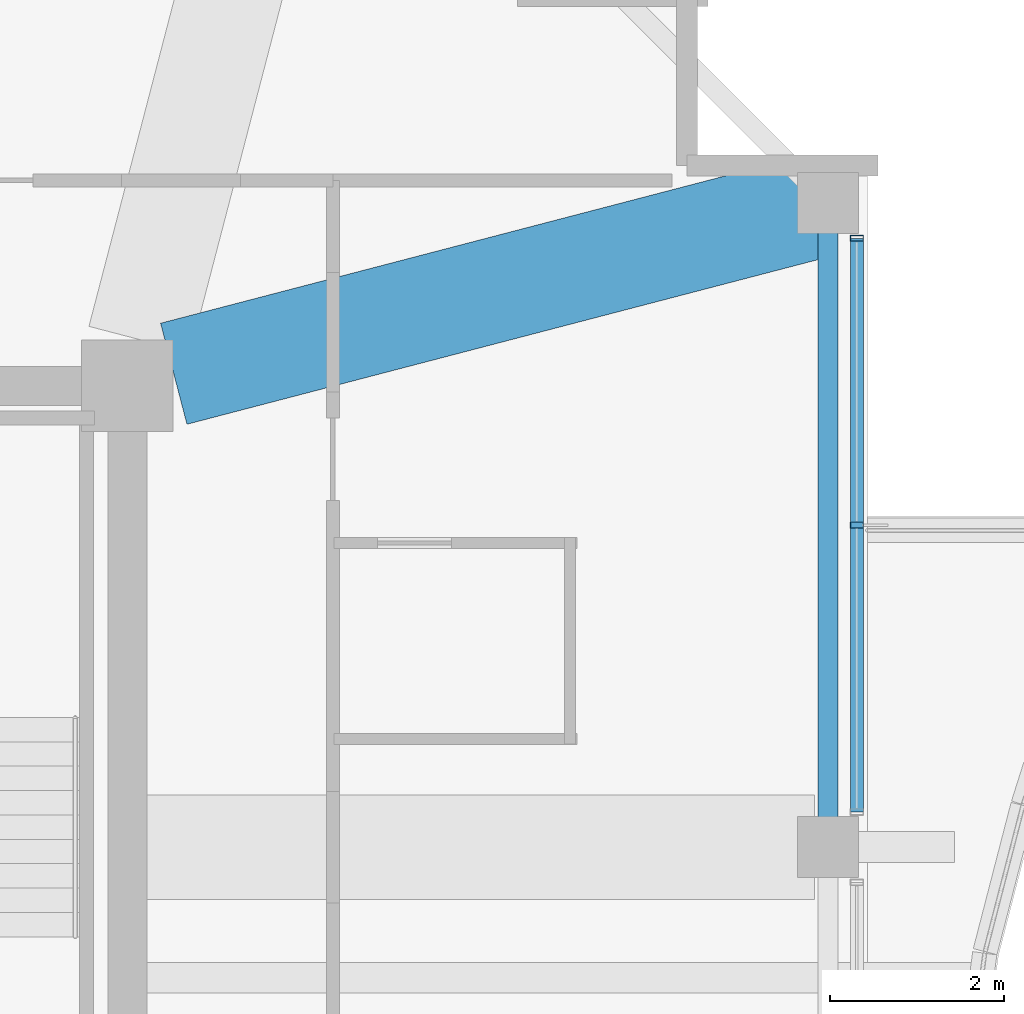
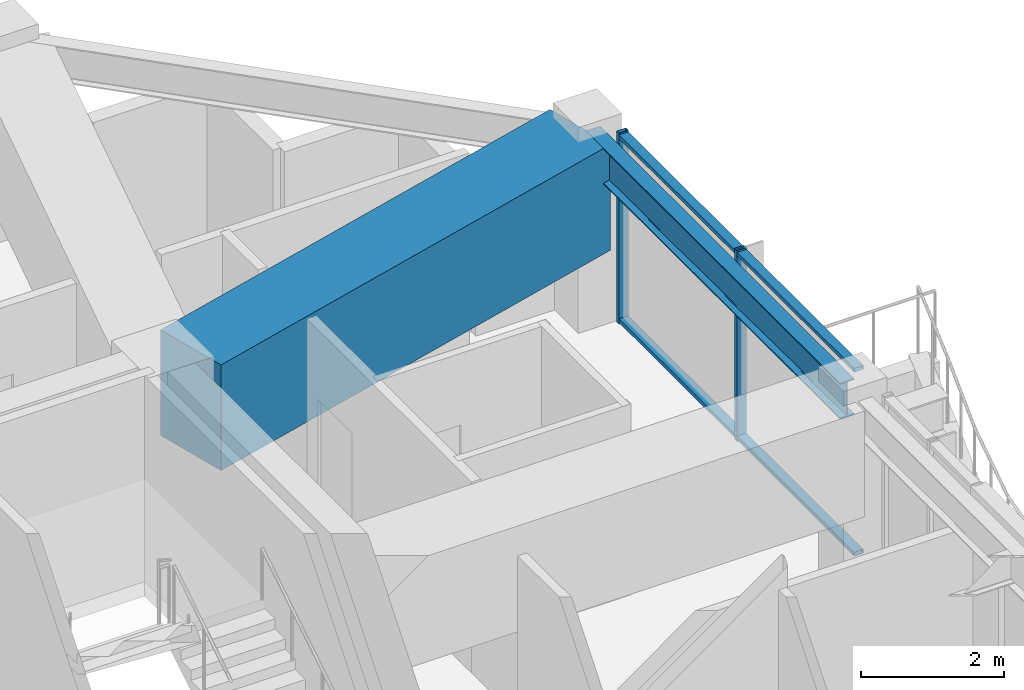
# One storey, part 13 of 31: 4 members, 2 beams, 1 element without a shape of its own.
"""IFC4 building model written with IfcOpenShell, lengths in metres."""

from ifc_helpers import new_model, si_unit, direction, frame, origin, origin_2d, place, context, subcontext, project, spatial, rectangle, hollow_rectangle, i_section, extrude, material, material_profile, profile_set, type_object, element, aggregate, save


model = new_model("IFC4")

# Units and contexts
model_context = context("Model", 3, precision=1e-05, world=origin(), true_north=direction((0.0, 1.0)))
body_context = subcontext(model_context, "Body", "Model", "MODEL_VIEW")
ifc_project = project(units=[si_unit("LENGTHUNIT", "METRE"), si_unit("AREAUNIT", "SQUARE_METRE"), si_unit("VOLUMEUNIT", "CUBIC_METRE"), si_unit("PLANEANGLEUNIT", "RADIAN"), si_unit("MASSUNIT", "GRAM", prefix="KILO")], contexts=[model_context])

# Site, building, storey
site_placement = place(None, origin())
site = spatial("IfcSite", under=ifc_project, at=site_placement, CompositionType="ELEMENT")
building_placement = place(site_placement, origin())
building = spatial("IfcBuilding", under=site, at=building_placement, Name="Kolvaren Belvedere", CompositionType="ELEMENT")
storey_placement = place(building_placement, frame((0.0, 0.0, 237.39990234375)))
storey = spatial("IfcBuildingStorey", under=building, at=storey_placement, Name="L69", CompositionType="ELEMENT", Elevation=237.39990234375)

# Beams
ifc_material_1 = material(Name="Structural steel ASTM A992 Grade 50", Category="steel")
ifc_material_profile_1 = material_profile(ifc_material_1, i_section(OverallWidth=0.22900390625, OverallDepth=0.612060546875, WebThickness=0.011962890625, FlangeThickness=0.01953125, FilletRadius=0.01806640625, at=origin_2d()), Name="W24X84")
ifc_profile_set_1 = profile_set([ifc_material_profile_1], Name="Structural steel ASTM A992 Grade 50")
beam_type_1 = type_object("IfcBeamType", Name="BM-SPAN-W24X84", PredefinedType="SPANDREL", material=ifc_profile_set_1)
beam_1_placement = place(storey_placement, frame((17.949951171875, 4.757568359375, 2.944091796875), z_axis=(0.0, 1.0, 0.0), x_axis=(-1.0, 0.0, 0.0)))
element("IfcBeam", 1, at=beam_1_placement, inside=storey, type_object=beam_type_1, Name="L69 Perimeter Spandrel E3-E4", PredefinedType="SPANDREL", context=body_context, shape_type="SweptSolid", body=[
    extrude(i_section(OverallWidth=0.22900390625, OverallDepth=0.612060546875, WebThickness=0.011962890625, FlangeThickness=0.01953125, FilletRadius=0.01806640625, at=origin_2d()), origin(), (0.0, 0.0, 1.0), 7.0849609375),
])
ifc_material_2 = material(Name="Concrete C50/60", Category="concrete")
ifc_material_profile_2 = material_profile(ifc_material_2, rectangle(XDim=1.199951171875, YDim=1.800048828125, at=origin_2d()), Name="RC 1200X1800")
ifc_profile_set_2 = profile_set([ifc_material_profile_2], Name="Concrete C50/60")
beam_type_2 = type_object("IfcBeamType", Name="BM-TG-1800", PredefinedType="BEAM", material=ifc_profile_set_2)
beam_2_placement = place(storey_placement, frame((10.43212890625, 10.038818359375, 2.35009765625), z_axis=(0.967618631679, 0.25241668651, 0.0), x_axis=(-0.25241668651, 0.967618631679, 0.0)))
element("IfcBeam", 2, at=beam_2_placement, inside=storey, type_object=beam_type_2, Name="L69 Corner Core-to-Perimeter Girder CC3-E4", PredefinedType="BEAM", context=body_context, shape_type="SweptSolid", body=[
    extrude(rectangle(XDim=1.199951171875, YDim=1.800048828125, at=origin_2d()), origin(), (0.0, 0.0, 1.0), 7.62939453125),
])

# Curtain wall, members
ifc_material_3 = material(Name="Anodised pale-metal aluminium AA 6063-T6", Category="aluminium")
curtain_wall_type = type_object("IfcCurtainWallType", Name="CW-Z5-HIGH", PredefinedType="NOTDEFINED", material=ifc_material_3)
curtain_wall_placement = place(storey_placement, origin())
curtain_wall = element("IfcCurtainWall", 3, at=curtain_wall_placement, inside=storey, type_object=curtain_wall_type, Name="L69 Unitised Curtain Wall FCW-L69-E1-B1", PredefinedType="NOTDEFINED")
ifc_material_4 = material(Name="Anodised pale-metal aluminium AA 6063-T6", Category="aluminium")
ifc_material_profile_3 = material_profile(ifc_material_4, hollow_rectangle(XDim=0.070068359375, YDim=0.14990234375, WallThickness=0.004150390625, at=origin_2d()), Name="ALU-MUL-150X70")
ifc_profile_set_3 = profile_set([ifc_material_profile_3], Name="Anodised pale-metal aluminium AA 6063-T6")
member_type_1 = type_object("IfcMemberType", Name="CW-MUL-150", PredefinedType="MULLION", material=ifc_profile_set_3)
member_1_placement = place(storey_placement, frame((18.280029296875, 11.594970703125, 0.0), z_axis=(0.0, 0.0, 1.0), x_axis=(0.0, 1.0, 0.0)))
member_1 = element("IfcMember", 4, at=member_1_placement, type_object=member_type_1, Name="FCW-L69-E1-B1 Unitised Mullion 1", PredefinedType="MULLION", context=body_context, shape_type="SweptSolid", body=[
    extrude(hollow_rectangle(XDim=0.070068359375, YDim=0.14990234375, WallThickness=0.004150390625, at=origin_2d()), origin(), (0.0, 0.0, 1.0), 3.25),
])
member_2_placement = place(storey_placement, frame((18.280029296875, 8.300048828125, 0.0), z_axis=(0.0, 0.0, 1.0), x_axis=(0.0, 1.0, 0.0)))
member_2 = element("IfcMember", 5, at=member_2_placement, type_object=member_type_1, Name="FCW-L69-E1-B1 Unitised Mullion 2", PredefinedType="MULLION", context=body_context, shape_type="SweptSolid", body=[
    extrude(hollow_rectangle(XDim=0.070068359375, YDim=0.14990234375, WallThickness=0.004150390625, at=origin_2d()), origin(), (0.0, 0.0, 1.0), 3.25),
])
ifc_material_5 = material(Name="Anodised pale-metal aluminium AA 6063-T6", Category="aluminium")
ifc_material_profile_4 = material_profile(ifc_material_5, hollow_rectangle(XDim=0.06494140625, YDim=0.14990234375, WallThickness=0.00390625, at=origin_2d()), Name="ALU-TRN-150X65")
ifc_profile_set_4 = profile_set([ifc_material_profile_4], Name="Anodised pale-metal aluminium AA 6063-T6")
member_type_2 = type_object("IfcMemberType", Name="CW-TRN-150", PredefinedType="USERDEFINED", material=ifc_profile_set_4)
member_3_placement = place(storey_placement, frame((18.280029296875, 11.594970703125, 0.06005859375), z_axis=(0.0, -1.0, 0.0), x_axis=(0.0, 0.0, 1.0)))
member_3 = element("IfcMember", 6, at=member_3_placement, type_object=member_type_2, Name="FCW-L69-E1-B1 Sill Transom", ObjectType="TRANSOM", PredefinedType="USERDEFINED", context=body_context, shape_type="SweptSolid", body=[
    extrude(hollow_rectangle(XDim=0.06494140625, YDim=0.14990234375, WallThickness=0.00390625, at=origin_2d()), origin(), (0.0, 0.0, 1.0), 6.590087890625),
])
member_4_placement = place(storey_placement, frame((18.280029296875, 11.594970703125, 3.190185546875), z_axis=(0.0, -1.0, 0.0), x_axis=(0.0, 0.0, 1.0)))
member_4 = element("IfcMember", 7, at=member_4_placement, type_object=member_type_2, Name="FCW-L69-E1-B1 Head Transom", ObjectType="TRANSOM", PredefinedType="USERDEFINED", context=body_context, shape_type="SweptSolid", body=[
    extrude(hollow_rectangle(XDim=0.06494140625, YDim=0.14990234375, WallThickness=0.00390625, at=origin_2d()), origin(), (0.0, 0.0, 1.0), 6.590087890625),
])
aggregate(curtain_wall, [member_1, member_2, member_3, member_4])

save(model, "model.ifc")
